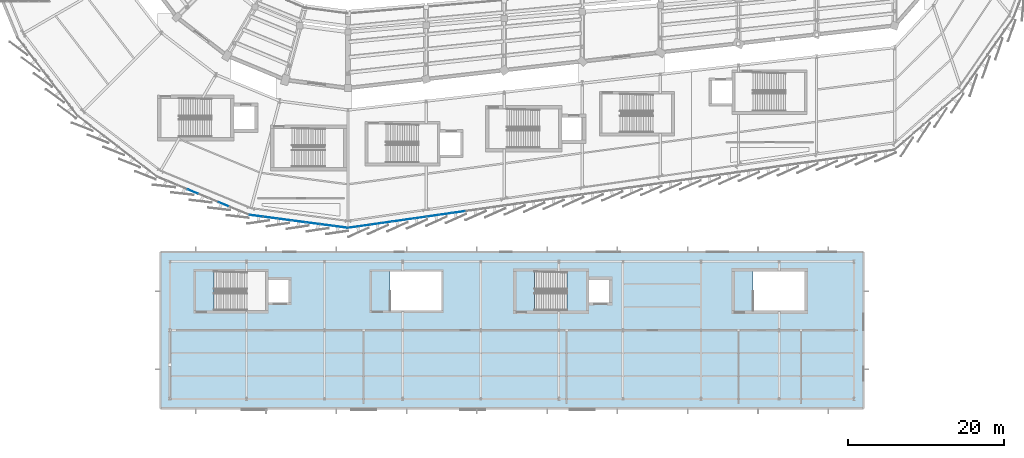
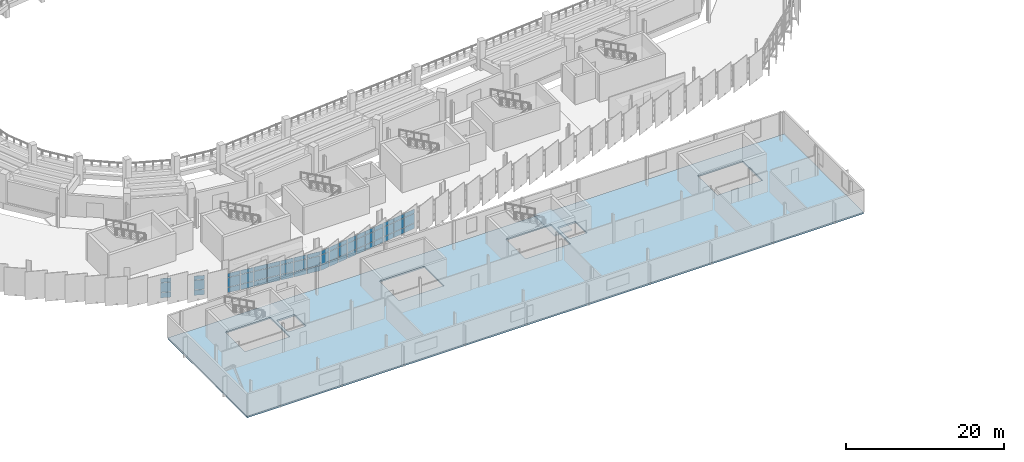
# One storey, part 79 of 120: 57 plates, 2 slabs, 5 elements without a shape of their own.
"""IFC4 building model written with IfcOpenShell, lengths in metres."""

from ifc_helpers import new_model, si_unit, direction, frame, origin, origin_2d, place, context, subcontext, project, spatial, polyline, rectangle, outline, extrude, material, layer, layer_set, type_object, element, aggregate, save


model = new_model("IFC4")

# Units and contexts
model_context = context("Model", 3, precision=1e-05, world=origin(), true_north=direction((0.0, 1.0)))
body_context = subcontext(model_context, "Body", "Model", "MODEL_VIEW")
ifc_project = project(units=[si_unit("LENGTHUNIT", "METRE"), si_unit("AREAUNIT", "SQUARE_METRE"), si_unit("VOLUMEUNIT", "CUBIC_METRE"), si_unit("PLANEANGLEUNIT", "RADIAN"), si_unit("MASSUNIT", "GRAM", prefix="KILO")], contexts=[model_context])

# Site, building, storey
site_placement = place(None, origin())
site = spatial("IfcSite", under=ifc_project, at=site_placement, CompositionType="ELEMENT")
building_placement = place(site_placement, origin())
building = spatial("IfcBuilding", under=site, at=building_placement, Name="Sohan Crest Arena", CompositionType="ELEMENT")
storey_placement = place(building_placement, frame((0.0, 0.0, 13.5)))
storey = spatial("IfcBuildingStorey", under=building, at=storey_placement, Name="L03", CompositionType="ELEMENT", Elevation=13.5)

# Curtain wall, plates
ifc_material_1 = material(Name="Thermally broken anodised aluminium", Category="aluminium")
ifc_layer_1 = layer(ifc_material_1, 0.179931640625, Name="Thermally broken anodised aluminium")
ifc_layer_set_1 = layer_set([ifc_layer_1], Name="Thermally broken anodised aluminium")
curtain_wall_type_1 = type_object("IfcCurtainWallType", Name="ARC-CW01", PredefinedType="NOTDEFINED", material=ifc_layer_set_1)
curtain_wall_1_placement = place(storey_placement, origin())
curtain_wall_1 = element("IfcCurtainWall", 1, at=curtain_wall_1_placement, inside=storey, type_object=curtain_wall_type_1, Name="Unitised curtain wall CW-090", PredefinedType="NOTDEFINED")
ifc_material_2 = material(Name="Low-E double-glazed insulated glass", Category="glass")
ifc_layer_2 = layer(ifc_material_2, 0.028076171875, Name="Low-E double-glazed insulated glass")
ifc_layer_set_2 = layer_set([ifc_layer_2], Name="Low-E double-glazed insulated glass")
plate_type_1 = type_object("IfcPlateType", Name="ARC-CNP01", PredefinedType="CURTAIN_PANEL", material=ifc_layer_set_2)
plate_1_placement = place(storey_placement, frame((98.729248046875, 29.2041015625, 0.06005859375), z_axis=(0.0, 0.0, 1.0), x_axis=(0.989943553128, 0.141462933734, 0.0)))
plate_1 = element("IfcPlate", 2, at=plate_1_placement, type_object=plate_type_1, Name="CW-090 panel 1.1", PredefinedType="CURTAIN_PANEL", context=body_context, shape_type="SweptSolid", body=[
    extrude(rectangle(XDim=1.35302734375, YDim=0.028076171875, at=origin_2d()), origin(), (0.0, 0.0, 1.0), 0.81005859375),
])
plate_2_placement = place(storey_placement, frame((98.729248046875, 29.2041015625, 0.929931640625), z_axis=(0.0, 0.0, 1.0), x_axis=(0.989943553128, 0.141462933734, 0.0)))
plate_2 = element("IfcPlate", 3, at=plate_2_placement, type_object=plate_type_1, Name="CW-090 panel 1.2", PredefinedType="CURTAIN_PANEL", context=body_context, shape_type="SweptSolid", body=[
    extrude(rectangle(XDim=1.35302734375, YDim=0.028076171875, at=origin_2d()), origin(), (0.0, 0.0, 1.0), 1.4599609375),
])
plate_3_placement = place(storey_placement, frame((98.729248046875, 29.2041015625, 2.44970703125), z_axis=(0.0, 0.0, 1.0), x_axis=(0.989943553128, 0.141462933734, 0.0)))
plate_3 = element("IfcPlate", 4, at=plate_3_placement, type_object=plate_type_1, Name="CW-090 panel 1.3", PredefinedType="CURTAIN_PANEL", context=body_context, shape_type="SweptSolid", body=[
    extrude(rectangle(XDim=1.35302734375, YDim=0.028076171875, at=origin_2d()), origin(), (0.0, 0.0, 1.0), 0.610107421875),
])
plate_4_placement = place(storey_placement, frame((100.142822265625, 29.40625, 0.06005859375), z_axis=(0.0, 0.0, 1.0), x_axis=(0.989943553128, 0.141462933734, 0.0)))
plate_4 = element("IfcPlate", 5, at=plate_4_placement, type_object=plate_type_1, Name="CW-090 panel 2.1", PredefinedType="CURTAIN_PANEL", context=body_context, shape_type="SweptSolid", body=[
    extrude(rectangle(XDim=1.383056640625, YDim=0.028076171875, at=origin_2d()), origin(), (0.0, 0.0, 1.0), 0.81005859375),
])
plate_5_placement = place(storey_placement, frame((100.142822265625, 29.40625, 0.929931640625), z_axis=(0.0, 0.0, 1.0), x_axis=(0.989943553128, 0.141462933734, 0.0)))
plate_5 = element("IfcPlate", 6, at=plate_5_placement, type_object=plate_type_1, Name="CW-090 panel 2.2", PredefinedType="CURTAIN_PANEL", context=body_context, shape_type="SweptSolid", body=[
    extrude(rectangle(XDim=1.383056640625, YDim=0.028076171875, at=origin_2d()), origin(), (0.0, 0.0, 1.0), 1.4599609375),
])
plate_6_placement = place(storey_placement, frame((100.142822265625, 29.40625, 2.44970703125), z_axis=(0.0, 0.0, 1.0), x_axis=(0.989943553128, 0.141462933734, 0.0)))
plate_6 = element("IfcPlate", 7, at=plate_6_placement, type_object=plate_type_1, Name="CW-090 panel 2.3", PredefinedType="CURTAIN_PANEL", context=body_context, shape_type="SweptSolid", body=[
    extrude(rectangle(XDim=1.383056640625, YDim=0.028076171875, at=origin_2d()), origin(), (0.0, 0.0, 1.0), 0.610107421875),
])
plate_7_placement = place(storey_placement, frame((101.571533203125, 29.6103515625, 0.06005859375), z_axis=(0.0, 0.0, 1.0), x_axis=(0.989943553128, 0.141462933734, 0.0)))
plate_7 = element("IfcPlate", 8, at=plate_7_placement, type_object=plate_type_1, Name="CW-090 panel 3.1", PredefinedType="CURTAIN_PANEL", context=body_context, shape_type="SweptSolid", body=[
    extrude(rectangle(XDim=1.383056640625, YDim=0.028076171875, at=origin_2d()), origin(), (0.0, 0.0, 1.0), 0.81005859375),
])
plate_8_placement = place(storey_placement, frame((101.571533203125, 29.6103515625, 0.929931640625), z_axis=(0.0, 0.0, 1.0), x_axis=(0.989943553128, 0.141462933734, 0.0)))
plate_8 = element("IfcPlate", 9, at=plate_8_placement, type_object=plate_type_1, Name="CW-090 panel 3.2", PredefinedType="CURTAIN_PANEL", context=body_context, shape_type="SweptSolid", body=[
    extrude(rectangle(XDim=1.383056640625, YDim=0.028076171875, at=origin_2d()), origin(), (0.0, 0.0, 1.0), 1.4599609375),
])
plate_9_placement = place(storey_placement, frame((101.571533203125, 29.6103515625, 2.44970703125), z_axis=(0.0, 0.0, 1.0), x_axis=(0.989943553128, 0.141462933734, 0.0)))
plate_9 = element("IfcPlate", 10, at=plate_9_placement, type_object=plate_type_1, Name="CW-090 panel 3.3", PredefinedType="CURTAIN_PANEL", context=body_context, shape_type="SweptSolid", body=[
    extrude(rectangle(XDim=1.383056640625, YDim=0.028076171875, at=origin_2d()), origin(), (0.0, 0.0, 1.0), 0.610107421875),
])
plate_10_placement = place(storey_placement, frame((103.0, 29.814453125, 0.06005859375), z_axis=(0.0, 0.0, 1.0), x_axis=(0.989943553128, 0.141462933734, 0.0)))
plate_10 = element("IfcPlate", 11, at=plate_10_placement, type_object=plate_type_1, Name="CW-090 panel 4.1", PredefinedType="CURTAIN_PANEL", context=body_context, shape_type="SweptSolid", body=[
    extrude(rectangle(XDim=1.383056640625, YDim=0.028076171875, at=origin_2d()), origin(), (0.0, 0.0, 1.0), 0.81005859375),
])
plate_11_placement = place(storey_placement, frame((103.0, 29.814453125, 0.929931640625), z_axis=(0.0, 0.0, 1.0), x_axis=(0.989943553128, 0.141462933734, 0.0)))
plate_11 = element("IfcPlate", 12, at=plate_11_placement, type_object=plate_type_1, Name="CW-090 panel 4.2", PredefinedType="CURTAIN_PANEL", context=body_context, shape_type="SweptSolid", body=[
    extrude(rectangle(XDim=1.383056640625, YDim=0.028076171875, at=origin_2d()), origin(), (0.0, 0.0, 1.0), 1.4599609375),
])
plate_12_placement = place(storey_placement, frame((103.0, 29.814453125, 2.44970703125), z_axis=(0.0, 0.0, 1.0), x_axis=(0.989943553128, 0.141462933734, 0.0)))
plate_12 = element("IfcPlate", 13, at=plate_12_placement, type_object=plate_type_1, Name="CW-090 panel 4.3", PredefinedType="CURTAIN_PANEL", context=body_context, shape_type="SweptSolid", body=[
    extrude(rectangle(XDim=1.383056640625, YDim=0.028076171875, at=origin_2d()), origin(), (0.0, 0.0, 1.0), 0.610107421875),
])
plate_13_placement = place(storey_placement, frame((104.428466796875, 30.0185546875, 0.06005859375), z_axis=(0.0, 0.0, 1.0), x_axis=(0.989943553128, 0.141462933734, 0.0)))
plate_13 = element("IfcPlate", 14, at=plate_13_placement, type_object=plate_type_1, Name="CW-090 panel 5.1", PredefinedType="CURTAIN_PANEL", context=body_context, shape_type="SweptSolid", body=[
    extrude(rectangle(XDim=1.383056640625, YDim=0.028076171875, at=origin_2d()), origin(), (0.0, 0.0, 1.0), 0.81005859375),
])
plate_14_placement = place(storey_placement, frame((104.428466796875, 30.0185546875, 0.929931640625), z_axis=(0.0, 0.0, 1.0), x_axis=(0.989943553128, 0.141462933734, 0.0)))
plate_14 = element("IfcPlate", 15, at=plate_14_placement, type_object=plate_type_1, Name="CW-090 panel 5.2", PredefinedType="CURTAIN_PANEL", context=body_context, shape_type="SweptSolid", body=[
    extrude(rectangle(XDim=1.383056640625, YDim=0.028076171875, at=origin_2d()), origin(), (0.0, 0.0, 1.0), 1.4599609375),
])
plate_15_placement = place(storey_placement, frame((104.428466796875, 30.0185546875, 2.44970703125), z_axis=(0.0, 0.0, 1.0), x_axis=(0.989943553128, 0.141462933734, 0.0)))
plate_15 = element("IfcPlate", 16, at=plate_15_placement, type_object=plate_type_1, Name="CW-090 panel 5.3", PredefinedType="CURTAIN_PANEL", context=body_context, shape_type="SweptSolid", body=[
    extrude(rectangle(XDim=1.383056640625, YDim=0.028076171875, at=origin_2d()), origin(), (0.0, 0.0, 1.0), 0.610107421875),
])
plate_16_placement = place(storey_placement, frame((105.857177734375, 30.222900390625, 0.06005859375), z_axis=(0.0, 0.0, 1.0), x_axis=(0.989943553128, 0.141462933734, 0.0)))
plate_16 = element("IfcPlate", 17, at=plate_16_placement, type_object=plate_type_1, Name="CW-090 panel 6.1", PredefinedType="CURTAIN_PANEL", context=body_context, shape_type="SweptSolid", body=[
    extrude(rectangle(XDim=1.383056640625, YDim=0.028076171875, at=origin_2d()), origin(), (0.0, 0.0, 1.0), 0.81005859375),
])
plate_17_placement = place(storey_placement, frame((105.857177734375, 30.222900390625, 0.929931640625), z_axis=(0.0, 0.0, 1.0), x_axis=(0.989943553128, 0.141462933734, 0.0)))
plate_17 = element("IfcPlate", 18, at=plate_17_placement, type_object=plate_type_1, Name="CW-090 panel 6.2", PredefinedType="CURTAIN_PANEL", context=body_context, shape_type="SweptSolid", body=[
    extrude(rectangle(XDim=1.383056640625, YDim=0.028076171875, at=origin_2d()), origin(), (0.0, 0.0, 1.0), 1.4599609375),
])
plate_18_placement = place(storey_placement, frame((105.857177734375, 30.222900390625, 2.44970703125), z_axis=(0.0, 0.0, 1.0), x_axis=(0.989943553128, 0.141462933734, 0.0)))
plate_18 = element("IfcPlate", 19, at=plate_18_placement, type_object=plate_type_1, Name="CW-090 panel 6.3", PredefinedType="CURTAIN_PANEL", context=body_context, shape_type="SweptSolid", body=[
    extrude(rectangle(XDim=1.383056640625, YDim=0.028076171875, at=origin_2d()), origin(), (0.0, 0.0, 1.0), 0.610107421875),
])
plate_19_placement = place(storey_placement, frame((107.270751953125, 30.4248046875, 0.06005859375), z_axis=(0.0, 0.0, 1.0), x_axis=(0.989943553128, 0.141462933734, 0.0)))
plate_19 = element("IfcPlate", 20, at=plate_19_placement, type_object=plate_type_1, Name="CW-090 panel 7.1", PredefinedType="CURTAIN_PANEL", context=body_context, shape_type="SweptSolid", body=[
    extrude(rectangle(XDim=1.35302734375, YDim=0.028076171875, at=origin_2d()), origin(), (0.0, 0.0, 1.0), 0.81005859375),
])
plate_20_placement = place(storey_placement, frame((107.270751953125, 30.4248046875, 0.929931640625), z_axis=(0.0, 0.0, 1.0), x_axis=(0.989943553128, 0.141462933734, 0.0)))
plate_20 = element("IfcPlate", 21, at=plate_20_placement, type_object=plate_type_1, Name="CW-090 panel 7.2", PredefinedType="CURTAIN_PANEL", context=body_context, shape_type="SweptSolid", body=[
    extrude(rectangle(XDim=1.35302734375, YDim=0.028076171875, at=origin_2d()), origin(), (0.0, 0.0, 1.0), 1.4599609375),
])
plate_21_placement = place(storey_placement, frame((107.270751953125, 30.4248046875, 2.44970703125), z_axis=(0.0, 0.0, 1.0), x_axis=(0.989943553128, 0.141462933734, 0.0)))
plate_21 = element("IfcPlate", 22, at=plate_21_placement, type_object=plate_type_1, Name="CW-090 panel 7.3", PredefinedType="CURTAIN_PANEL", context=body_context, shape_type="SweptSolid", body=[
    extrude(rectangle(XDim=1.35302734375, YDim=0.028076171875, at=origin_2d()), origin(), (0.0, 0.0, 1.0), 0.610107421875),
])
aggregate(curtain_wall_1, [plate_1, plate_2, plate_3, plate_4, plate_5, plate_6, plate_7, plate_8, plate_9, plate_10, plate_11, plate_12, plate_13, plate_14, plate_15, plate_16, plate_17, plate_18, plate_19, plate_20, plate_21])

ifc_layer_3 = layer(ifc_material_1, 0.199951171875, Name="Thermally broken anodised aluminium")
ifc_layer_set_3 = layer_set([ifc_layer_3], Name="Thermally broken anodised aluminium")
curtain_wall_type_2 = type_object("IfcCurtainWallType", Name="ARC-CW02", PredefinedType="NOTDEFINED", material=ifc_layer_set_3)
curtain_wall_2_placement = place(storey_placement, origin())
curtain_wall_2 = element("IfcCurtainWall", 23, at=curtain_wall_2_placement, inside=storey, type_object=curtain_wall_type_2, Name="Unitised curtain wall CW-091", PredefinedType="NOTDEFINED")
ifc_layer_4 = layer(ifc_material_2, 0.031982421875, Name="Low-E double-glazed insulated glass")
ifc_layer_set_4 = layer_set([ifc_layer_4], Name="Low-E double-glazed insulated glass")
plate_type_2 = type_object("IfcPlateType", Name="ARC-CNP02", PredefinedType="CURTAIN_PANEL", material=ifc_layer_set_4)
plate_22_placement = place(storey_placement, frame((108.849365234375, 30.650390625, 0.06494140625), z_axis=(0.0, 0.0, 1.0), x_axis=(0.989957411768, 0.141365918403, 0.0)))
plate_22 = element("IfcPlate", 24, at=plate_22_placement, type_object=plate_type_2, Name="CW-091 panel 1.1", PredefinedType="CURTAIN_PANEL", context=body_context, shape_type="SweptSolid", body=[
    extrude(rectangle(XDim=1.586181640625, YDim=0.031982421875, at=origin_2d()), origin(), (0.0, 0.0, 1.0), 0.802490234375),
])
plate_23_placement = place(storey_placement, frame((108.849365234375, 30.650390625, 0.932373046875), z_axis=(0.0, 0.0, 1.0), x_axis=(0.989957411768, 0.141365918403, 0.0)))
plate_23 = element("IfcPlate", 25, at=plate_23_placement, type_object=plate_type_2, Name="CW-091 panel 1.2", PredefinedType="CURTAIN_PANEL", context=body_context, shape_type="SweptSolid", body=[
    extrude(rectangle(XDim=1.586181640625, YDim=0.031982421875, at=origin_2d()), origin(), (0.0, 0.0, 1.0), 1.455078125),
])
plate_24_placement = place(storey_placement, frame((108.849365234375, 30.650390625, 2.452392578125), z_axis=(0.0, 0.0, 1.0), x_axis=(0.989957411768, 0.141365918403, 0.0)))
plate_24 = element("IfcPlate", 26, at=plate_24_placement, type_object=plate_type_2, Name="CW-091 panel 1.3", PredefinedType="CURTAIN_PANEL", context=body_context, shape_type="SweptSolid", body=[
    extrude(rectangle(XDim=1.586181640625, YDim=0.031982421875, at=origin_2d()), origin(), (0.0, 0.0, 1.0), 0.6025390625),
])
plate_25_placement = place(storey_placement, frame((110.5, 30.885986328125, 0.06494140625), z_axis=(0.0, 0.0, 1.0), x_axis=(0.989957411768, 0.141365918403, 0.0)))
plate_25 = element("IfcPlate", 27, at=plate_25_placement, type_object=plate_type_2, Name="CW-091 panel 2.1", PredefinedType="CURTAIN_PANEL", context=body_context, shape_type="SweptSolid", body=[
    extrude(rectangle(XDim=1.61865234375, YDim=0.031982421875, at=origin_2d()), origin(), (0.0, 0.0, 1.0), 0.802490234375),
])
plate_26_placement = place(storey_placement, frame((110.5, 30.885986328125, 0.932373046875), z_axis=(0.0, 0.0, 1.0), x_axis=(0.989957411768, 0.141365918403, 0.0)))
plate_26 = element("IfcPlate", 28, at=plate_26_placement, type_object=plate_type_2, Name="CW-091 panel 2.2", PredefinedType="CURTAIN_PANEL", context=body_context, shape_type="SweptSolid", body=[
    extrude(rectangle(XDim=1.61865234375, YDim=0.031982421875, at=origin_2d()), origin(), (0.0, 0.0, 1.0), 1.455078125),
])
plate_27_placement = place(storey_placement, frame((110.5, 30.885986328125, 2.452392578125), z_axis=(0.0, 0.0, 1.0), x_axis=(0.989957411768, 0.141365918403, 0.0)))
plate_27 = element("IfcPlate", 29, at=plate_27_placement, type_object=plate_type_2, Name="CW-091 panel 2.3", PredefinedType="CURTAIN_PANEL", context=body_context, shape_type="SweptSolid", body=[
    extrude(rectangle(XDim=1.61865234375, YDim=0.031982421875, at=origin_2d()), origin(), (0.0, 0.0, 1.0), 0.6025390625),
])
plate_28_placement = place(storey_placement, frame((112.166748046875, 31.1240234375, 0.06494140625), z_axis=(0.0, 0.0, 1.0), x_axis=(0.989957411768, 0.141365918403, 0.0)))
plate_28 = element("IfcPlate", 30, at=plate_28_placement, type_object=plate_type_2, Name="CW-091 panel 3.1", PredefinedType="CURTAIN_PANEL", context=body_context, shape_type="SweptSolid", body=[
    extrude(rectangle(XDim=1.61865234375, YDim=0.031982421875, at=origin_2d()), origin(), (0.0, 0.0, 1.0), 0.802490234375),
])
plate_29_placement = place(storey_placement, frame((112.166748046875, 31.1240234375, 0.932373046875), z_axis=(0.0, 0.0, 1.0), x_axis=(0.989957411768, 0.141365918403, 0.0)))
plate_29 = element("IfcPlate", 31, at=plate_29_placement, type_object=plate_type_2, Name="CW-091 panel 3.2", PredefinedType="CURTAIN_PANEL", context=body_context, shape_type="SweptSolid", body=[
    extrude(rectangle(XDim=1.61865234375, YDim=0.031982421875, at=origin_2d()), origin(), (0.0, 0.0, 1.0), 1.455078125),
])
plate_30_placement = place(storey_placement, frame((112.166748046875, 31.1240234375, 2.452392578125), z_axis=(0.0, 0.0, 1.0), x_axis=(0.989957411768, 0.141365918403, 0.0)))
plate_30 = element("IfcPlate", 32, at=plate_30_placement, type_object=plate_type_2, Name="CW-091 panel 3.3", PredefinedType="CURTAIN_PANEL", context=body_context, shape_type="SweptSolid", body=[
    extrude(rectangle(XDim=1.61865234375, YDim=0.031982421875, at=origin_2d()), origin(), (0.0, 0.0, 1.0), 0.6025390625),
])
aggregate(curtain_wall_2, [plate_22, plate_23, plate_24, plate_25, plate_26, plate_27, plate_28, plate_29, plate_30])

ifc_layer_5 = layer(ifc_material_1, 0.18994140625, Name="Thermally broken anodised aluminium")
ifc_layer_set_5 = layer_set([ifc_layer_5], Name="Thermally broken anodised aluminium")
curtain_wall_type_3 = type_object("IfcCurtainWallType", Name="ARC-CW05", PredefinedType="NOTDEFINED", material=ifc_layer_set_5)
curtain_wall_3_placement = place(storey_placement, origin())
curtain_wall_3 = element("IfcCurtainWall", 33, at=curtain_wall_3_placement, inside=storey, type_object=curtain_wall_type_3, Name="Unitised curtain wall CW-088", PredefinedType="NOTDEFINED")
ifc_material_3 = material(Name="Ceramic-fritted solar-control insulated glass", Category="glass")
ifc_layer_6 = layer(ifc_material_3, 0.035888671875, Name="Ceramic-fritted solar-control insulated glass")
ifc_layer_set_6 = layer_set([ifc_layer_6], Name="Ceramic-fritted solar-control insulated glass")
plate_type_3 = type_object("IfcPlateType", Name="ARC-CNP03", PredefinedType="CURTAIN_PANEL", material=ifc_layer_set_6)
plate_31_placement = place(storey_placement, frame((78.136474609375, 33.751220703125, 0.06494140625), z_axis=(0.0, 0.0, 1.0), x_axis=(0.923886034074, -0.382667735827, 0.0)))
plate_31 = element("IfcPlate", 34, at=plate_31_placement, type_object=plate_type_3, Name="CW-088 panel 4.1", PredefinedType="CURTAIN_PANEL", context=body_context, shape_type="SweptSolid", body=[
    extrude(rectangle(XDim=1.348388671875, YDim=0.035888671875, at=origin_2d()), origin(), (0.0, 0.0, 1.0), 0.802490234375),
])
plate_32_placement = place(storey_placement, frame((78.136474609375, 33.751220703125, 0.932373046875), z_axis=(0.0, 0.0, 1.0), x_axis=(0.923886034074, -0.382667735827, 0.0)))
plate_32 = element("IfcPlate", 35, at=plate_32_placement, type_object=plate_type_3, Name="CW-088 panel 4.2", PredefinedType="CURTAIN_PANEL", context=body_context, shape_type="SweptSolid", body=[
    extrude(rectangle(XDim=1.348388671875, YDim=0.035888671875, at=origin_2d()), origin(), (0.0, 0.0, 1.0), 1.455078125),
])
plate_33_placement = place(storey_placement, frame((78.136474609375, 33.751220703125, 2.452392578125), z_axis=(0.0, 0.0, 1.0), x_axis=(0.923886034074, -0.382667735827, 0.0)))
plate_33 = element("IfcPlate", 36, at=plate_33_placement, type_object=plate_type_3, Name="CW-088 panel 4.3", PredefinedType="CURTAIN_PANEL", context=body_context, shape_type="SweptSolid", body=[
    extrude(rectangle(XDim=1.348388671875, YDim=0.035888671875, at=origin_2d()), origin(), (0.0, 0.0, 1.0), 0.6025390625),
])
plate_34_placement = place(storey_placement, frame((82.06787109375, 32.123046875, 0.06494140625), z_axis=(0.0, 0.0, 1.0), x_axis=(0.923886034074, -0.382667735827, 0.0)))
plate_34 = element("IfcPlate", 37, at=plate_34_placement, type_object=plate_type_3, Name="CW-088 panel 7.1", PredefinedType="CURTAIN_PANEL", context=body_context, shape_type="SweptSolid", body=[
    extrude(rectangle(XDim=1.348388671875, YDim=0.035888671875, at=origin_2d()), origin(), (0.0, 0.0, 1.0), 0.802490234375),
])
plate_35_placement = place(storey_placement, frame((82.06787109375, 32.123046875, 0.932373046875), z_axis=(0.0, 0.0, 1.0), x_axis=(0.923886034074, -0.382667735827, 0.0)))
plate_35 = element("IfcPlate", 38, at=plate_35_placement, type_object=plate_type_3, Name="CW-088 panel 7.2", PredefinedType="CURTAIN_PANEL", context=body_context, shape_type="SweptSolid", body=[
    extrude(rectangle(XDim=1.348388671875, YDim=0.035888671875, at=origin_2d()), origin(), (0.0, 0.0, 1.0), 1.455078125),
])
plate_36_placement = place(storey_placement, frame((82.06787109375, 32.123046875, 2.452392578125), z_axis=(0.0, 0.0, 1.0), x_axis=(0.923886034074, -0.382667735827, 0.0)))
plate_36 = element("IfcPlate", 39, at=plate_36_placement, type_object=plate_type_3, Name="CW-088 panel 7.3", PredefinedType="CURTAIN_PANEL", context=body_context, shape_type="SweptSolid", body=[
    extrude(rectangle(XDim=1.348388671875, YDim=0.035888671875, at=origin_2d()), origin(), (0.0, 0.0, 1.0), 0.6025390625),
])
aggregate(curtain_wall_3, [plate_31, plate_32, plate_33, plate_34, plate_35, plate_36])

ifc_layer_7 = layer(ifc_material_1, 0.2099609375, Name="Thermally broken anodised aluminium")
ifc_layer_set_7 = layer_set([ifc_layer_7], Name="Thermally broken anodised aluminium")
curtain_wall_type_4 = type_object("IfcCurtainWallType", Name="ARC-CW06", PredefinedType="NOTDEFINED", material=ifc_layer_set_7)
curtain_wall_4_placement = place(storey_placement, origin())
curtain_wall_4 = element("IfcCurtainWall", 40, at=curtain_wall_4_placement, inside=storey, type_object=curtain_wall_type_4, Name="Unitised curtain wall CW-089", PredefinedType="NOTDEFINED")
ifc_material_4 = material(Name="Insulated polychrome ceramic spandrel panel", Category="masonry")
ifc_layer_8 = layer(ifc_material_4, 0.0419921875, Name="Insulated polychrome ceramic spandrel panel")
ifc_layer_set_8 = layer_set([ifc_layer_8], Name="Insulated polychrome ceramic spandrel panel")
plate_type_4 = type_object("IfcPlateType", Name="ARC-CNP04", PredefinedType="CURTAIN_PANEL", material=ifc_layer_set_8)
plate_37_placement = place(storey_placement, frame((86.2666015625, 30.64453125, 0.070068359375), z_axis=(0.0, 0.0, 1.0), x_axis=(0.991446828069, -0.130511252817, 0.0)))
plate_37 = element("IfcPlate", 41, at=plate_37_placement, type_object=plate_type_4, Name="CW-089 panel 1.1", PredefinedType="CURTAIN_PANEL", context=body_context, shape_type="SweptSolid", body=[
    extrude(rectangle(XDim=1.711181640625, YDim=0.0419921875, at=origin_2d()), origin(), (0.0, 0.0, 1.0), 0.794921875),
])
plate_38_placement = place(storey_placement, frame((86.2666015625, 30.64453125, 0.93505859375), z_axis=(0.0, 0.0, 1.0), x_axis=(0.991446828069, -0.130511252817, 0.0)))
plate_38 = element("IfcPlate", 42, at=plate_38_placement, type_object=plate_type_4, Name="CW-089 panel 1.2", PredefinedType="CURTAIN_PANEL", context=body_context, shape_type="SweptSolid", body=[
    extrude(rectangle(XDim=1.711181640625, YDim=0.0419921875, at=origin_2d()), origin(), (0.0, 0.0, 1.0), 1.449951171875),
])
plate_39_placement = place(storey_placement, frame((86.2666015625, 30.64453125, 2.455078125), z_axis=(0.0, 0.0, 1.0), x_axis=(0.991446828069, -0.130511252817, 0.0)))
plate_39 = element("IfcPlate", 43, at=plate_39_placement, type_object=plate_type_4, Name="CW-089 panel 1.3", PredefinedType="CURTAIN_PANEL", context=body_context, shape_type="SweptSolid", body=[
    extrude(rectangle(XDim=1.711181640625, YDim=0.0419921875, at=origin_2d()), origin(), (0.0, 0.0, 1.0), 0.594970703125),
])
plate_40_placement = place(storey_placement, frame((88.055908203125, 30.408935546875, 0.070068359375), z_axis=(0.0, 0.0, 1.0), x_axis=(0.991446828069, -0.130511252817, 0.0)))
plate_40 = element("IfcPlate", 44, at=plate_40_placement, type_object=plate_type_4, Name="CW-089 panel 2.1", PredefinedType="CURTAIN_PANEL", context=body_context, shape_type="SweptSolid", body=[
    extrude(rectangle(XDim=1.74853515625, YDim=0.0419921875, at=origin_2d()), origin(), (0.0, 0.0, 1.0), 0.794921875),
])
plate_41_placement = place(storey_placement, frame((88.055908203125, 30.408935546875, 0.93505859375), z_axis=(0.0, 0.0, 1.0), x_axis=(0.991446828069, -0.130511252817, 0.0)))
plate_41 = element("IfcPlate", 45, at=plate_41_placement, type_object=plate_type_4, Name="CW-089 panel 2.2", PredefinedType="CURTAIN_PANEL", context=body_context, shape_type="SweptSolid", body=[
    extrude(rectangle(XDim=1.74853515625, YDim=0.0419921875, at=origin_2d()), origin(), (0.0, 0.0, 1.0), 1.449951171875),
])
plate_42_placement = place(storey_placement, frame((88.055908203125, 30.408935546875, 2.455078125), z_axis=(0.0, 0.0, 1.0), x_axis=(0.991446828069, -0.130511252817, 0.0)))
plate_42 = element("IfcPlate", 46, at=plate_42_placement, type_object=plate_type_4, Name="CW-089 panel 2.3", PredefinedType="CURTAIN_PANEL", context=body_context, shape_type="SweptSolid", body=[
    extrude(rectangle(XDim=1.74853515625, YDim=0.0419921875, at=origin_2d()), origin(), (0.0, 0.0, 1.0), 0.594970703125),
])
plate_43_placement = place(storey_placement, frame((89.864013671875, 30.1708984375, 0.070068359375), z_axis=(0.0, 0.0, 1.0), x_axis=(0.991446828069, -0.130511252817, 0.0)))
plate_43 = element("IfcPlate", 47, at=plate_43_placement, type_object=plate_type_4, Name="CW-089 panel 3.1", PredefinedType="CURTAIN_PANEL", context=body_context, shape_type="SweptSolid", body=[
    extrude(rectangle(XDim=1.74853515625, YDim=0.0419921875, at=origin_2d()), origin(), (0.0, 0.0, 1.0), 0.794921875),
])
plate_44_placement = place(storey_placement, frame((89.864013671875, 30.1708984375, 0.93505859375), z_axis=(0.0, 0.0, 1.0), x_axis=(0.991446828069, -0.130511252817, 0.0)))
plate_44 = element("IfcPlate", 48, at=plate_44_placement, type_object=plate_type_4, Name="CW-089 panel 3.2", PredefinedType="CURTAIN_PANEL", context=body_context, shape_type="SweptSolid", body=[
    extrude(rectangle(XDim=1.74853515625, YDim=0.0419921875, at=origin_2d()), origin(), (0.0, 0.0, 1.0), 1.449951171875),
])
plate_45_placement = place(storey_placement, frame((89.864013671875, 30.1708984375, 2.455078125), z_axis=(0.0, 0.0, 1.0), x_axis=(0.991446828069, -0.130511252817, 0.0)))
plate_45 = element("IfcPlate", 49, at=plate_45_placement, type_object=plate_type_4, Name="CW-089 panel 3.3", PredefinedType="CURTAIN_PANEL", context=body_context, shape_type="SweptSolid", body=[
    extrude(rectangle(XDim=1.74853515625, YDim=0.0419921875, at=origin_2d()), origin(), (0.0, 0.0, 1.0), 0.594970703125),
])
plate_46_placement = place(storey_placement, frame((91.672119140625, 29.93310546875, 0.070068359375), z_axis=(0.0, 0.0, 1.0), x_axis=(0.991446828069, -0.130511252817, 0.0)))
plate_46 = element("IfcPlate", 50, at=plate_46_placement, type_object=plate_type_4, Name="CW-089 panel 4.1", PredefinedType="CURTAIN_PANEL", context=body_context, shape_type="SweptSolid", body=[
    extrude(rectangle(XDim=1.74853515625, YDim=0.0419921875, at=origin_2d()), origin(), (0.0, 0.0, 1.0), 0.794921875),
])
plate_47_placement = place(storey_placement, frame((91.672119140625, 29.93310546875, 0.93505859375), z_axis=(0.0, 0.0, 1.0), x_axis=(0.991446828069, -0.130511252817, 0.0)))
plate_47 = element("IfcPlate", 51, at=plate_47_placement, type_object=plate_type_4, Name="CW-089 panel 4.2", PredefinedType="CURTAIN_PANEL", context=body_context, shape_type="SweptSolid", body=[
    extrude(rectangle(XDim=1.74853515625, YDim=0.0419921875, at=origin_2d()), origin(), (0.0, 0.0, 1.0), 1.449951171875),
])
plate_48_placement = place(storey_placement, frame((91.672119140625, 29.93310546875, 2.455078125), z_axis=(0.0, 0.0, 1.0), x_axis=(0.991446828069, -0.130511252817, 0.0)))
plate_48 = element("IfcPlate", 52, at=plate_48_placement, type_object=plate_type_4, Name="CW-089 panel 4.3", PredefinedType="CURTAIN_PANEL", context=body_context, shape_type="SweptSolid", body=[
    extrude(rectangle(XDim=1.74853515625, YDim=0.0419921875, at=origin_2d()), origin(), (0.0, 0.0, 1.0), 0.594970703125),
])
plate_49_placement = place(storey_placement, frame((93.47998046875, 29.695068359375, 0.070068359375), z_axis=(0.0, 0.0, 1.0), x_axis=(0.991446828069, -0.130511252817, 0.0)))
plate_49 = element("IfcPlate", 53, at=plate_49_placement, type_object=plate_type_4, Name="CW-089 panel 5.1", PredefinedType="CURTAIN_PANEL", context=body_context, shape_type="SweptSolid", body=[
    extrude(rectangle(XDim=1.74853515625, YDim=0.0419921875, at=origin_2d()), origin(), (0.0, 0.0, 1.0), 0.794921875),
])
plate_50_placement = place(storey_placement, frame((93.47998046875, 29.695068359375, 0.93505859375), z_axis=(0.0, 0.0, 1.0), x_axis=(0.991446828069, -0.130511252817, 0.0)))
plate_50 = element("IfcPlate", 54, at=plate_50_placement, type_object=plate_type_4, Name="CW-089 panel 5.2", PredefinedType="CURTAIN_PANEL", context=body_context, shape_type="SweptSolid", body=[
    extrude(rectangle(XDim=1.74853515625, YDim=0.0419921875, at=origin_2d()), origin(), (0.0, 0.0, 1.0), 1.449951171875),
])
plate_51_placement = place(storey_placement, frame((93.47998046875, 29.695068359375, 2.455078125), z_axis=(0.0, 0.0, 1.0), x_axis=(0.991446828069, -0.130511252817, 0.0)))
plate_51 = element("IfcPlate", 55, at=plate_51_placement, type_object=plate_type_4, Name="CW-089 panel 5.3", PredefinedType="CURTAIN_PANEL", context=body_context, shape_type="SweptSolid", body=[
    extrude(rectangle(XDim=1.74853515625, YDim=0.0419921875, at=origin_2d()), origin(), (0.0, 0.0, 1.0), 0.594970703125),
])
plate_52_placement = place(storey_placement, frame((95.2880859375, 29.45703125, 0.070068359375), z_axis=(0.0, 0.0, 1.0), x_axis=(0.991446828069, -0.130511252817, 0.0)))
plate_52 = element("IfcPlate", 56, at=plate_52_placement, type_object=plate_type_4, Name="CW-089 panel 6.1", PredefinedType="CURTAIN_PANEL", context=body_context, shape_type="SweptSolid", body=[
    extrude(rectangle(XDim=1.74853515625, YDim=0.0419921875, at=origin_2d()), origin(), (0.0, 0.0, 1.0), 0.794921875),
])
plate_53_placement = place(storey_placement, frame((95.2880859375, 29.45703125, 0.93505859375), z_axis=(0.0, 0.0, 1.0), x_axis=(0.991446828069, -0.130511252817, 0.0)))
plate_53 = element("IfcPlate", 57, at=plate_53_placement, type_object=plate_type_4, Name="CW-089 panel 6.2", PredefinedType="CURTAIN_PANEL", context=body_context, shape_type="SweptSolid", body=[
    extrude(rectangle(XDim=1.74853515625, YDim=0.0419921875, at=origin_2d()), origin(), (0.0, 0.0, 1.0), 1.449951171875),
])
plate_54_placement = place(storey_placement, frame((95.2880859375, 29.45703125, 2.455078125), z_axis=(0.0, 0.0, 1.0), x_axis=(0.991446828069, -0.130511252817, 0.0)))
plate_54 = element("IfcPlate", 58, at=plate_54_placement, type_object=plate_type_4, Name="CW-089 panel 6.3", PredefinedType="CURTAIN_PANEL", context=body_context, shape_type="SweptSolid", body=[
    extrude(rectangle(XDim=1.74853515625, YDim=0.0419921875, at=origin_2d()), origin(), (0.0, 0.0, 1.0), 0.594970703125),
])
plate_55_placement = place(storey_placement, frame((97.077392578125, 29.221435546875, 0.070068359375), z_axis=(0.0, 0.0, 1.0), x_axis=(0.991446828069, -0.130511252817, 0.0)))
plate_55 = element("IfcPlate", 59, at=plate_55_placement, type_object=plate_type_4, Name="CW-089 panel 7.1", PredefinedType="CURTAIN_PANEL", context=body_context, shape_type="SweptSolid", body=[
    extrude(rectangle(XDim=1.711181640625, YDim=0.0419921875, at=origin_2d()), origin(), (0.0, 0.0, 1.0), 0.794921875),
])
plate_56_placement = place(storey_placement, frame((97.077392578125, 29.221435546875, 0.93505859375), z_axis=(0.0, 0.0, 1.0), x_axis=(0.991446828069, -0.130511252817, 0.0)))
plate_56 = element("IfcPlate", 60, at=plate_56_placement, type_object=plate_type_4, Name="CW-089 panel 7.2", PredefinedType="CURTAIN_PANEL", context=body_context, shape_type="SweptSolid", body=[
    extrude(rectangle(XDim=1.711181640625, YDim=0.0419921875, at=origin_2d()), origin(), (0.0, 0.0, 1.0), 1.449951171875),
])
plate_57_placement = place(storey_placement, frame((97.077392578125, 29.221435546875, 2.455078125), z_axis=(0.0, 0.0, 1.0), x_axis=(0.991446828069, -0.130511252817, 0.0)))
plate_57 = element("IfcPlate", 61, at=plate_57_placement, type_object=plate_type_4, Name="CW-089 panel 7.3", PredefinedType="CURTAIN_PANEL", context=body_context, shape_type="SweptSolid", body=[
    extrude(rectangle(XDim=1.711181640625, YDim=0.0419921875, at=origin_2d()), origin(), (0.0, 0.0, 1.0), 0.594970703125),
])
aggregate(curtain_wall_4, [plate_37, plate_38, plate_39, plate_40, plate_41, plate_42, plate_43, plate_44, plate_45, plate_46, plate_47, plate_48, plate_49, plate_50, plate_51, plate_52, plate_53, plate_54, plate_55, plate_56, plate_57])

# Slab
ifc_material_5 = material(Name="Concrete C40/50", Category="concrete")
ifc_layer_9 = layer(ifc_material_5, 0.25, Name="Concrete C40/50")
ifc_layer_set_9 = layer_set([ifc_layer_9], Name="Concrete C40/50")
slab_type_1 = type_object("IfcSlabType", Name="SL-FLR3", PredefinedType="FLOOR", material=ifc_layer_set_9)
slab_1_placement = place(storey_placement, frame((0.0, 0.0, -0.25)))
element("IfcSlab", 62, at=slab_1_placement, inside=storey, type_object=slab_type_1, Name="BOH wing L03 floor slab SL-L03-V5", PredefinedType="FLOOR", context=body_context, shape_type="SweptSolid", body=[
    extrude(outline(polyline([(164.0, 26.0), (164.0, 6.0), (74.0, 6.0), (74.0, 26.0), (164.0, 26.0)]), holes=[polyline([(149.8701171875, 23.5), (149.8701171875, 18.5), (156.449951171875, 18.5), (156.449951171875, 23.5), (149.8701171875, 23.5)]), polyline([(109.949951171875, 23.5), (103.3701171875, 23.5), (103.3701171875, 18.5), (109.949951171875, 18.5), (109.949951171875, 23.5)]), polyline([(87.449951171875, 18.5), (87.449951171875, 23.5), (80.8701171875, 23.5), (80.8701171875, 18.5), (87.449951171875, 18.5)]), polyline([(87.800048828125, 19.550048828125), (90.39990234375, 19.550048828125), (90.39990234375, 22.449951171875), (87.800048828125, 22.449951171875), (87.800048828125, 19.550048828125)]), polyline([(121.8701171875, 23.5), (121.8701171875, 18.5), (128.449951171875, 18.5), (128.449951171875, 23.5), (121.8701171875, 23.5)]), polyline([(131.449951171875, 22.449951171875), (128.85009765625, 22.449951171875), (128.85009765625, 19.550048828125), (131.449951171875, 19.550048828125), (131.449951171875, 22.449951171875)])]), origin(), (0.0, 0.0, 1.0), 0.25),
])

# Stair, slab
stair_type = type_object("IfcStairType", Name="ST-450W", PredefinedType="TWO_STRAIGHT_RUN_STAIR", material=ifc_material_5)
stair_placement = place(storey_placement, origin())
stair = element("IfcStair", 63, at=stair_placement, inside=storey, type_object=stair_type, Name="Protected exit stair ST18-L03", PredefinedType="TWO_STRAIGHT_RUN_STAIR")
ifc_layer_10 = layer(ifc_material_5, 0.199951171875, Name="Concrete C40/50")
ifc_layer_set_10 = layer_set([ifc_layer_10], Name="Concrete C40/50")
slab_type_2 = type_object("IfcSlabType", Name="SL-LND1", PredefinedType="LANDING", material=ifc_layer_set_10)
slab_2_placement = place(storey_placement, frame((0.0, 0.0, 2.050048828125)))
slab_2 = element("IfcSlab", 64, at=slab_2_placement, type_object=slab_type_2, Name="ST18-L03 landing 1", PredefinedType="LANDING", context=body_context, shape_type="SweptSolid", body=[
    extrude(outline(polyline([(126.030029296875, 18.35009765625), (128.60009765625, 18.35009765625), (128.60009765625, 23.64990234375), (126.030029296875, 23.64990234375), (126.030029296875, 18.35009765625)])), origin(), (0.0, 0.0, 1.0), 0.199951171875),
])
aggregate(stair, [slab_2])

save(model, "model.ifc")
